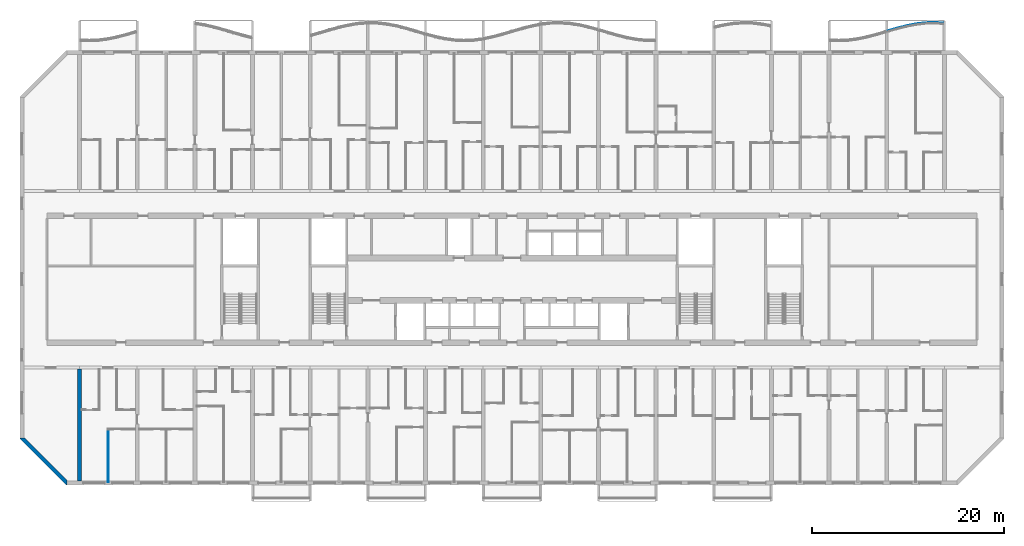
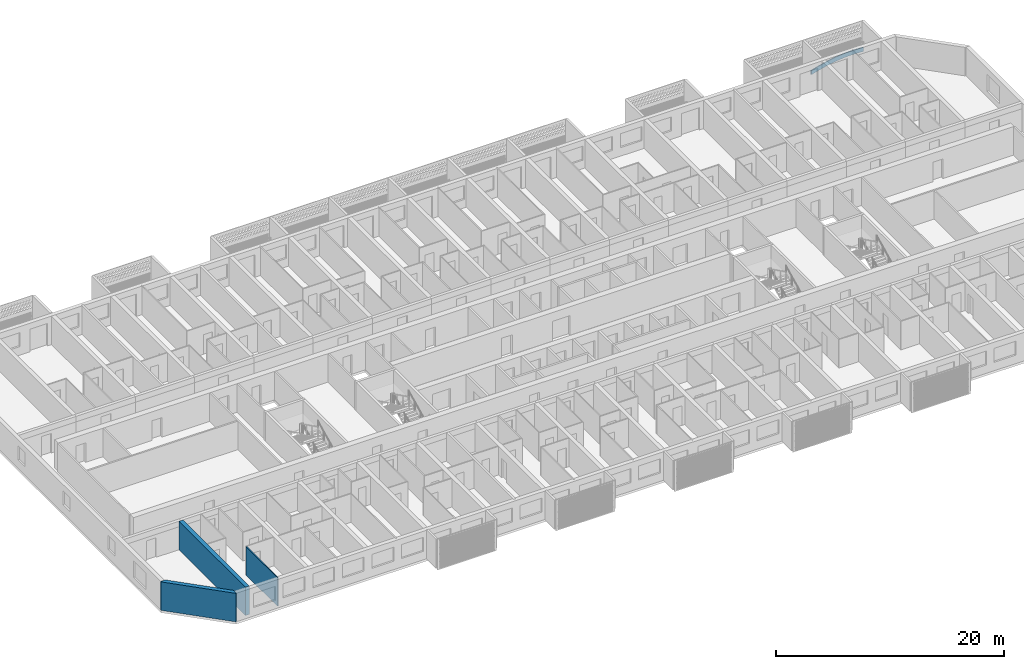
# One storey, part 2 of 44: 3 walls, 1 plate.
"""IFC4 building model written with IfcOpenShell, lengths in metres."""

from ifc_helpers import new_model, si_unit, direction, frame, frame_2d, origin, place, context, subcontext, project, spatial, polyline, rectangle, outline, extrude, material, layer, layer_set, type_object, element, save


model = new_model("IFC4")

# Units and contexts
model_context = context("Model", 3, precision=1e-05, world=origin(), true_north=direction((0.0, 1.0)))
body_context = subcontext(model_context, "Body", "Model", "MODEL_VIEW")
ifc_project = project(units=[si_unit("LENGTHUNIT", "METRE"), si_unit("AREAUNIT", "SQUARE_METRE"), si_unit("VOLUMEUNIT", "CUBIC_METRE"), si_unit("PLANEANGLEUNIT", "RADIAN"), si_unit("MASSUNIT", "GRAM", prefix="KILO")], contexts=[model_context])

# Site, building, storey
site_placement = place(None, origin())
site = spatial("IfcSite", under=ifc_project, at=site_placement, CompositionType="ELEMENT")
building_placement = place(site_placement, origin())
building = spatial("IfcBuilding", under=site, at=building_placement, Name="Poui Terraces", CompositionType="ELEMENT")
storey_placement = place(building_placement, frame((0.0, 0.0, 30.0)))
storey = spatial("IfcBuildingStorey", under=building, at=storey_placement, Name="L07", CompositionType="ELEMENT", Elevation=30.0)

# Plate
ifc_material_1 = material(Name="Precast concrete 40 MPa", Category="concrete")
ifc_layer_1 = layer(ifc_material_1, 0.080078125)
ifc_layer_set_1 = layer_set([ifc_layer_1], Name="Precast concrete 40 MPa")
plate_type = type_object("IfcPlateType", Name="SUNSHADE UPSTAND 80", PredefinedType="SHEET", material=ifc_layer_set_1)
plate_placement = place(storey_placement, origin())
element("IfcPlate", 1, at=plate_placement, inside=storey, type_object=plate_type, Name="SUNSHADE UPSTAND", PredefinedType="SHEET", context=body_context, shape_type="SweptSolid", body=[
    extrude(outline(polyline([(90.989501953125, 47.3349609375), (90.11376953125, 47.08056640625), (90.13623046875, 47.003662109375), (91.010498046875, 47.2578125), (92.0087890625, 47.516357421875), (93.00634765625, 47.715576171875), (94.0029296875, 47.835205078125), (94.999267578125, 47.86279296875), (95.87255859375, 47.809326171875), (95.87744140625, 47.888916015625), (95.853271484375, 47.890625), (95.000732421875, 47.943115234375), (93.9970703125, 47.9150390625), (92.99365234375, 47.794677734375), (91.9912109375, 47.59423828125), (90.989501953125, 47.3349609375)])), origin(), (0.0, 0.0, 1.0), 0.449951171875),
])

# Walls
ifc_material_2 = material(Name="Concrete 80 MPa", Category="concrete")
ifc_layer_2 = layer(ifc_material_2, 0.39990234375)
ifc_layer_set_2 = layer_set([ifc_layer_2], Name="Concrete 80 MPa")
wall_type_1 = type_object("IfcWallType", Name="CROSS WALL 400 80MPa", PredefinedType="SHEAR", material=ifc_layer_set_2)
wall_1_placement = place(storey_placement, frame((6.0, 0.199951171875, 0.0), z_axis=(0.0, 0.0, 1.0), x_axis=(0.0, 1.0, 0.0)))
element("IfcWall", 2, at=wall_1_placement, inside=storey, type_object=wall_type_1, Name="CROSS WALL LINE 2 SOUTH", PredefinedType="SHEAR", context=body_context, shape_type="SweptSolid", body=[
    extrude(rectangle(XDim=11.650146484375, YDim=0.39990234375, at=frame_2d((5.8251953125, 0.0))), origin(), (0.0, 0.0, 1.0), 3.050048828125),
])
ifc_material_3 = material(Name="Plasterboard partition")
ifc_layer_3 = layer(ifc_material_3, 0.10009765625)
ifc_layer_set_3 = layer_set([ifc_layer_3], Name="Plasterboard partition")
wall_type_2 = type_object("IfcWallType", Name="FLAT PARTITION 100", PredefinedType="PARTITIONING", material=ifc_layer_set_3)
wall_2_placement = place(storey_placement, frame((9.0, 0.06005859375, 0.0), z_axis=(0.0, 0.0, 1.0), x_axis=(0.0, 1.0, 0.0)))
element("IfcWall", 3, at=wall_2_placement, inside=storey, type_object=wall_type_2, Name="FLAT PARTITION 100", PredefinedType="PARTITIONING", context=body_context, shape_type="SweptSolid", body=[
    extrude(rectangle(XDim=5.489990234375, YDim=0.10009765625, at=frame_2d((2.7451171875, 0.0))), origin(), (0.0, 0.0, 1.0), 3.050048828125),
])
ifc_layer_4 = layer(ifc_material_1, 0.39990234375)
ifc_layer_set_4 = layer_set([ifc_layer_4], Name="Precast concrete 40 MPa")
wall_type_3 = type_object("IfcWallType", Name="TERRACOTTA CLAD CHAMFER WALL 400", PredefinedType="STANDARD", material=ifc_layer_set_4)
wall_3_placement = place(storey_placement, origin())
element("IfcWall", 4, at=wall_3_placement, inside=storey, type_object=wall_type_3, Name="CHAMFER WALL CH07", PredefinedType="STANDARD", context=body_context, shape_type="SweptSolid", body=[
    extrude(outline(polyline([(-0.199951171875, 4.682861328125), (-0.199951171875, 4.60009765625), (4.60009765625, -0.199951171875), (4.682861328125, -0.199951171875), (4.682861328125, 0.28271484375), (0.28271484375, 4.682861328125), (-0.199951171875, 4.682861328125)])), origin(), (0.0, 0.0, 1.0), 3.050048828125),
])

save(model, "model.ifc")
